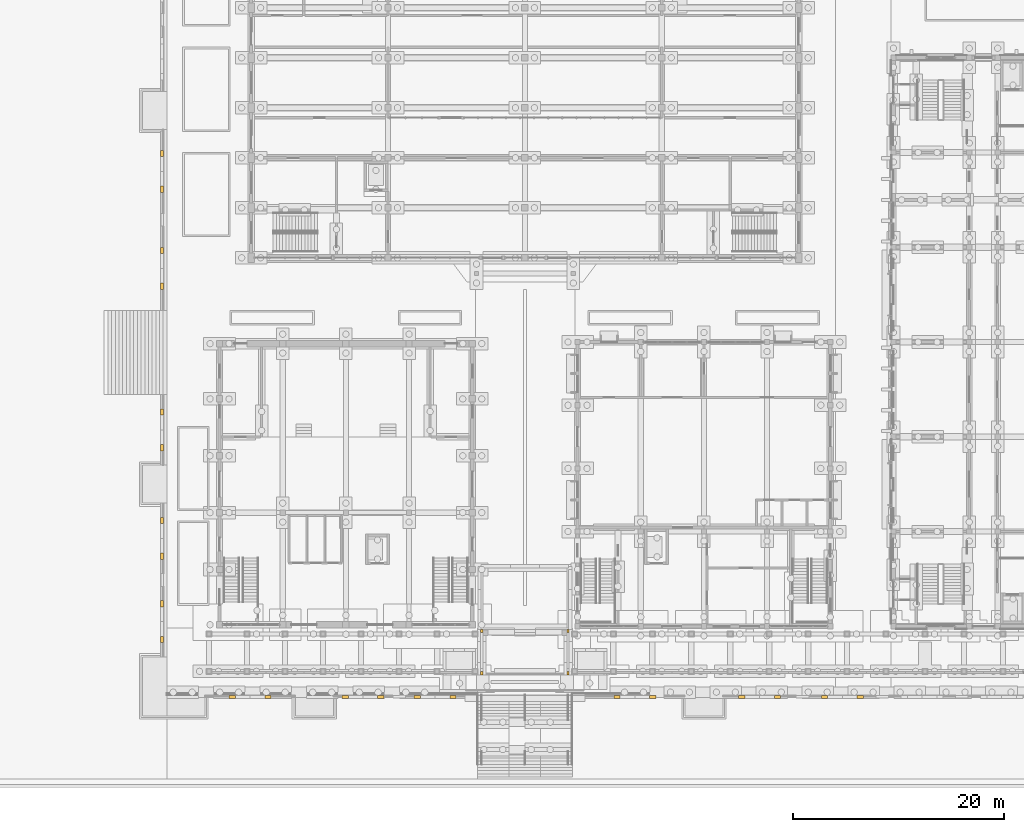
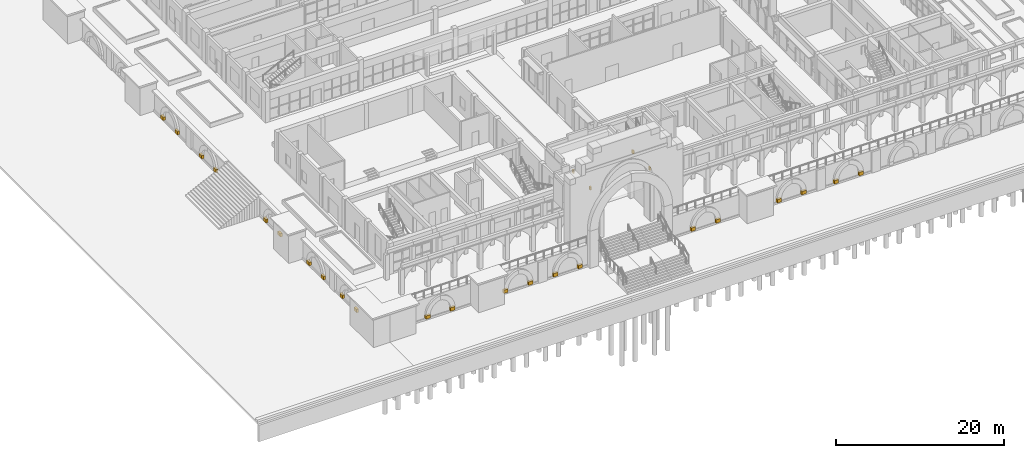
# One storey, part 148 of 161: 26 coverings.
"""IFC4 building model written with IfcOpenShell, lengths in metres."""

from ifc_helpers import new_model, si_unit, direction, frame, origin, place, context, subcontext, project, spatial, polyline, outline, extrude, material, layer, layer_set, type_object, element, save


model = new_model("IFC4")

# Units and contexts
model_context = context("Model", 3, precision=1e-05, world=origin(), true_north=direction((0.0, 1.0)))
body_context = subcontext(model_context, "Body", "Model", "MODEL_VIEW")
ifc_project = project(units=[si_unit("LENGTHUNIT", "METRE"), si_unit("AREAUNIT", "SQUARE_METRE"), si_unit("VOLUMEUNIT", "CUBIC_METRE"), si_unit("PLANEANGLEUNIT", "RADIAN"), si_unit("MASSUNIT", "GRAM", prefix="KILO")], contexts=[model_context])

# Site, building, storey
site_placement = place(None, origin())
site = spatial("IfcSite", under=ifc_project, at=site_placement, CompositionType="ELEMENT")
building_placement = place(site_placement, origin())
building = spatial("IfcBuilding", under=site, at=building_placement, Name="Elbe Cascade School", CompositionType="ELEMENT")
storey_placement = place(building_placement, origin())
storey = spatial("IfcBuildingStorey", under=building, at=storey_placement, Name="L00", CompositionType="ELEMENT", Elevation=0.0)

# Coverings
ifc_material_1 = material(Name="Sandstone - red", Category="masonry")
ifc_layer_1 = layer(ifc_material_1, 0.300048828125)
ifc_layer_set_1 = layer_set([ifc_layer_1], Name="Sandstone - red")
covering_type_1 = type_object("IfcCoveringType", Name="Gate chamber parapet 300", PredefinedType="CLADDING", material=ifc_layer_set_1)
covering_1_placement = place(storey_placement, frame((0.0, 0.0, 6.199951171875)))
element("IfcCovering", 1, at=covering_1_placement, inside=storey, type_object=covering_type_1, Name="Gate chamber parapet 300 CV16", PredefinedType="CLADDING", context=body_context, shape_type="SweptSolid", body=[
    extrude(outline(polyline([(29.800048828125, 1.39990234375), (30.0, 1.39990234375), (30.0, 1.699951171875), (29.800048828125, 1.699951171875), (29.800048828125, 1.39990234375)])), origin(), (0.0, 0.0, 1.0), 0.449951171875),
])
covering_2_placement = place(storey_placement, frame((0.0, 0.0, 6.199951171875)))
element("IfcCovering", 2, at=covering_2_placement, inside=storey, type_object=covering_type_1, Name="Gate chamber parapet 300 CV16", PredefinedType="CLADDING", context=body_context, shape_type="SweptSolid", body=[
    extrude(outline(polyline([(29.800048828125, 5.39990234375), (30.0, 5.39990234375), (30.0, 5.699951171875), (29.800048828125, 5.699951171875), (29.800048828125, 5.39990234375)])), origin(), (0.0, 0.0, 1.0), 0.449951171875),
])
covering_3_placement = place(storey_placement, frame((0.0, 0.0, 6.199951171875)))
element("IfcCovering", 3, at=covering_3_placement, inside=storey, type_object=covering_type_1, Name="Gate chamber parapet 300 CV16", PredefinedType="CLADDING", context=body_context, shape_type="SweptSolid", body=[
    extrude(outline(polyline([(38.0, 1.39990234375), (38.199951171875, 1.39990234375), (38.199951171875, 1.699951171875), (38.0, 1.699951171875), (38.0, 1.39990234375)])), origin(), (0.0, 0.0, 1.0), 0.449951171875),
])
covering_4_placement = place(storey_placement, frame((0.0, 0.0, 6.199951171875)))
element("IfcCovering", 4, at=covering_4_placement, inside=storey, type_object=covering_type_1, Name="Gate chamber parapet 300 CV16", PredefinedType="CLADDING", context=body_context, shape_type="SweptSolid", body=[
    extrude(outline(polyline([(38.0, 5.39990234375), (38.199951171875, 5.39990234375), (38.199951171875, 5.699951171875), (38.0, 5.699951171875), (38.0, 5.39990234375)])), origin(), (0.0, 0.0, 1.0), 0.449951171875),
])
ifc_material_2 = material(Name="Sandstone - red", Category="masonry")
ifc_layer_2 = layer(ifc_material_2, 0.300048828125)
ifc_layer_set_2 = layer_set([ifc_layer_2], Name="Sandstone - red")
covering_type_2 = type_object("IfcCoveringType", Name="Plinth niche frame leg 600x300", PredefinedType="CLADDING", material=ifc_layer_set_2)
covering_5_placement = place(storey_placement, frame((0.0, 0.0, -2.85009765625)))
element("IfcCovering", 5, at=covering_5_placement, inside=storey, type_object=covering_type_2, Name="Plinth niche frame leg west 0.1.1a", PredefinedType="CLADDING", context=body_context, shape_type="SweptSolid", body=[
    extrude(outline(polyline([(-0.60009765625, 7.85009765625), (-0.300048828125, 7.85009765625), (-0.300048828125, 8.449951171875), (-0.60009765625, 8.449951171875), (-0.60009765625, 7.85009765625)])), origin(), (0.0, 0.0, 1.0), 0.5),
])
covering_6_placement = place(storey_placement, frame((0.0, 0.0, -2.85009765625)))
element("IfcCovering", 6, at=covering_6_placement, inside=storey, type_object=covering_type_2, Name="Plinth niche frame leg west 0.1.1b", PredefinedType="CLADDING", context=body_context, shape_type="SweptSolid", body=[
    extrude(outline(polyline([(-0.60009765625, 4.449951171875), (-0.300048828125, 4.449951171875), (-0.300048828125, 5.050048828125), (-0.60009765625, 5.050048828125), (-0.60009765625, 4.449951171875)])), origin(), (0.0, 0.0, 1.0), 0.5),
])
covering_7_placement = place(storey_placement, frame((0.0, 0.0, -2.85009765625)))
element("IfcCovering", 7, at=covering_7_placement, inside=storey, type_object=covering_type_2, Name="Plinth niche frame leg west 0.1.2a", PredefinedType="CLADDING", context=body_context, shape_type="SweptSolid", body=[
    extrude(outline(polyline([(-0.60009765625, 15.75), (-0.300048828125, 15.75), (-0.300048828125, 16.35009765625), (-0.60009765625, 16.35009765625), (-0.60009765625, 15.75)])), origin(), (0.0, 0.0, 1.0), 0.5),
])
covering_8_placement = place(storey_placement, frame((0.0, 0.0, -2.85009765625)))
element("IfcCovering", 8, at=covering_8_placement, inside=storey, type_object=covering_type_2, Name="Plinth niche frame leg west 0.1.2b", PredefinedType="CLADDING", context=body_context, shape_type="SweptSolid", body=[
    extrude(outline(polyline([(-0.60009765625, 12.35009765625), (-0.300048828125, 12.35009765625), (-0.300048828125, 12.949951171875), (-0.60009765625, 12.949951171875), (-0.60009765625, 12.35009765625)])), origin(), (0.0, 0.0, 1.0), 0.5),
])
covering_9_placement = place(storey_placement, frame((0.0, 0.0, -2.85009765625)))
element("IfcCovering", 9, at=covering_9_placement, inside=storey, type_object=covering_type_2, Name="Plinth niche frame leg west 0.2.1a", PredefinedType="CLADDING", context=body_context, shape_type="SweptSolid", body=[
    extrude(outline(polyline([(-0.60009765625, 26.050048828125), (-0.300048828125, 26.050048828125), (-0.300048828125, 26.64990234375), (-0.60009765625, 26.64990234375), (-0.60009765625, 26.050048828125)])), origin(), (0.0, 0.0, 1.0), 0.5),
])
covering_10_placement = place(storey_placement, frame((0.0, 0.0, -2.85009765625)))
element("IfcCovering", 10, at=covering_10_placement, inside=storey, type_object=covering_type_2, Name="Plinth niche frame leg west 0.2.1b", PredefinedType="CLADDING", context=body_context, shape_type="SweptSolid", body=[
    extrude(outline(polyline([(-0.60009765625, 22.64990234375), (-0.300048828125, 22.64990234375), (-0.300048828125, 23.25), (-0.60009765625, 23.25), (-0.60009765625, 22.64990234375)])), origin(), (0.0, 0.0, 1.0), 0.5),
])
covering_11_placement = place(storey_placement, frame((0.0, 0.0, -2.85009765625)))
element("IfcCovering", 11, at=covering_11_placement, inside=storey, type_object=covering_type_2, Name="Plinth niche frame leg west 0.3.1a", PredefinedType="CLADDING", context=body_context, shape_type="SweptSolid", body=[
    extrude(outline(polyline([(-0.60009765625, 41.39990234375), (-0.300048828125, 41.39990234375), (-0.300048828125, 42.0), (-0.60009765625, 42.0), (-0.60009765625, 41.39990234375)])), origin(), (0.0, 0.0, 1.0), 0.5),
])
covering_12_placement = place(storey_placement, frame((0.0, 0.0, -2.85009765625)))
element("IfcCovering", 12, at=covering_12_placement, inside=storey, type_object=covering_type_2, Name="Plinth niche frame leg west 0.3.1b", PredefinedType="CLADDING", context=body_context, shape_type="SweptSolid", body=[
    extrude(outline(polyline([(-0.60009765625, 38.0), (-0.300048828125, 38.0), (-0.300048828125, 38.60009765625), (-0.60009765625, 38.60009765625), (-0.60009765625, 38.0)])), origin(), (0.0, 0.0, 1.0), 0.5),
])
covering_13_placement = place(storey_placement, frame((0.0, 0.0, -2.85009765625)))
element("IfcCovering", 13, at=covering_13_placement, inside=storey, type_object=covering_type_2, Name="Plinth niche frame leg west 0.3.2a", PredefinedType="CLADDING", context=body_context, shape_type="SweptSolid", body=[
    extrude(outline(polyline([(-0.60009765625, 50.60009765625), (-0.300048828125, 50.60009765625), (-0.300048828125, 51.199951171875), (-0.60009765625, 51.199951171875), (-0.60009765625, 50.60009765625)])), origin(), (0.0, 0.0, 1.0), 0.5),
])
covering_14_placement = place(storey_placement, frame((0.0, 0.0, -2.85009765625)))
element("IfcCovering", 14, at=covering_14_placement, inside=storey, type_object=covering_type_2, Name="Plinth niche frame leg west 0.3.2b", PredefinedType="CLADDING", context=body_context, shape_type="SweptSolid", body=[
    extrude(outline(polyline([(-0.60009765625, 47.199951171875), (-0.300048828125, 47.199951171875), (-0.300048828125, 47.800048828125), (-0.60009765625, 47.800048828125), (-0.60009765625, 47.199951171875)])), origin(), (0.0, 0.0, 1.0), 0.5),
])
covering_15_placement = place(storey_placement, frame((0.0, 0.0, -2.85009765625)))
element("IfcCovering", 15, at=covering_15_placement, inside=storey, type_object=covering_type_2, Name="Plinth niche frame leg south 0.1.1a", PredefinedType="CLADDING", context=body_context, shape_type="SweptSolid", body=[
    extrude(outline(polyline([(5.89990234375, -0.860107421875), (6.5, -0.860107421875), (6.5, -0.56005859375), (5.89990234375, -0.56005859375), (5.89990234375, -0.860107421875)])), origin(), (0.0, 0.0, 1.0), 0.5),
])
covering_16_placement = place(storey_placement, frame((0.0, 0.0, -2.85009765625)))
element("IfcCovering", 16, at=covering_16_placement, inside=storey, type_object=covering_type_2, Name="Plinth niche frame leg south 0.1.1b", PredefinedType="CLADDING", context=body_context, shape_type="SweptSolid", body=[
    extrude(outline(polyline([(9.300048828125, -0.860107421875), (9.89990234375, -0.860107421875), (9.89990234375, -0.56005859375), (9.300048828125, -0.56005859375), (9.300048828125, -0.860107421875)])), origin(), (0.0, 0.0, 1.0), 0.5),
])
covering_17_placement = place(storey_placement, frame((0.0, 0.0, -2.85009765625)))
element("IfcCovering", 17, at=covering_17_placement, inside=storey, type_object=covering_type_2, Name="Plinth niche frame leg south 0.2.1a", PredefinedType="CLADDING", context=body_context, shape_type="SweptSolid", body=[
    extrude(outline(polyline([(16.625, -0.860107421875), (17.22509765625, -0.860107421875), (17.22509765625, -0.56005859375), (16.625, -0.56005859375), (16.625, -0.860107421875)])), origin(), (0.0, 0.0, 1.0), 0.5),
])
covering_18_placement = place(storey_placement, frame((0.0, 0.0, -2.85009765625)))
element("IfcCovering", 18, at=covering_18_placement, inside=storey, type_object=covering_type_2, Name="Plinth niche frame leg south 0.2.1b", PredefinedType="CLADDING", context=body_context, shape_type="SweptSolid", body=[
    extrude(outline(polyline([(20.02490234375, -0.860107421875), (20.625, -0.860107421875), (20.625, -0.56005859375), (20.02490234375, -0.56005859375), (20.02490234375, -0.860107421875)])), origin(), (0.0, 0.0, 1.0), 0.5),
])
covering_19_placement = place(storey_placement, frame((0.0, 0.0, -2.85009765625)))
element("IfcCovering", 19, at=covering_19_placement, inside=storey, type_object=covering_type_2, Name="Plinth niche frame leg south 0.2.2a", PredefinedType="CLADDING", context=body_context, shape_type="SweptSolid", body=[
    extrude(outline(polyline([(23.47509765625, -0.860107421875), (24.074951171875, -0.860107421875), (24.074951171875, -0.56005859375), (23.47509765625, -0.56005859375), (23.47509765625, -0.860107421875)])), origin(), (0.0, 0.0, 1.0), 0.5),
])
covering_20_placement = place(storey_placement, frame((0.0, 0.0, -2.85009765625)))
element("IfcCovering", 20, at=covering_20_placement, inside=storey, type_object=covering_type_2, Name="Plinth niche frame leg south 0.2.2b", PredefinedType="CLADDING", context=body_context, shape_type="SweptSolid", body=[
    extrude(outline(polyline([(26.875, -0.860107421875), (27.47509765625, -0.860107421875), (27.47509765625, -0.56005859375), (26.875, -0.56005859375), (26.875, -0.860107421875)])), origin(), (0.0, 0.0, 1.0), 0.5),
])
covering_21_placement = place(storey_placement, frame((0.0, 0.0, -2.85009765625)))
element("IfcCovering", 21, at=covering_21_placement, inside=storey, type_object=covering_type_2, Name="Plinth niche frame leg south 0.3.1a", PredefinedType="CLADDING", context=body_context, shape_type="SweptSolid", body=[
    extrude(outline(polyline([(42.449951171875, -0.860107421875), (43.050048828125, -0.860107421875), (43.050048828125, -0.56005859375), (42.449951171875, -0.56005859375), (42.449951171875, -0.860107421875)])), origin(), (0.0, 0.0, 1.0), 0.5),
])
covering_22_placement = place(storey_placement, frame((0.0, 0.0, -2.85009765625)))
element("IfcCovering", 22, at=covering_22_placement, inside=storey, type_object=covering_type_2, Name="Plinth niche frame leg south 0.3.1b", PredefinedType="CLADDING", context=body_context, shape_type="SweptSolid", body=[
    extrude(outline(polyline([(45.85009765625, -0.860107421875), (46.449951171875, -0.860107421875), (46.449951171875, -0.56005859375), (45.85009765625, -0.56005859375), (45.85009765625, -0.860107421875)])), origin(), (0.0, 0.0, 1.0), 0.5),
])
covering_23_placement = place(storey_placement, frame((0.0, 0.0, -2.85009765625)))
element("IfcCovering", 23, at=covering_23_placement, inside=storey, type_object=covering_type_2, Name="Plinth niche frame leg south 0.4.1a", PredefinedType="CLADDING", context=body_context, shape_type="SweptSolid", body=[
    extrude(outline(polyline([(54.283447265625, -0.860107421875), (54.88330078125, -0.860107421875), (54.88330078125, -0.56005859375), (54.283447265625, -0.56005859375), (54.283447265625, -0.860107421875)])), origin(), (0.0, 0.0, 1.0), 0.5),
])
covering_24_placement = place(storey_placement, frame((0.0, 0.0, -2.85009765625)))
element("IfcCovering", 24, at=covering_24_placement, inside=storey, type_object=covering_type_2, Name="Plinth niche frame leg south 0.4.1b", PredefinedType="CLADDING", context=body_context, shape_type="SweptSolid", body=[
    extrude(outline(polyline([(57.683349609375, -0.860107421875), (58.283447265625, -0.860107421875), (58.283447265625, -0.56005859375), (57.683349609375, -0.56005859375), (57.683349609375, -0.860107421875)])), origin(), (0.0, 0.0, 1.0), 0.5),
])
covering_25_placement = place(storey_placement, frame((0.0, 0.0, -2.85009765625)))
element("IfcCovering", 25, at=covering_25_placement, inside=storey, type_object=covering_type_2, Name="Plinth niche frame leg south 0.4.2a", PredefinedType="CLADDING", context=body_context, shape_type="SweptSolid", body=[
    extrude(outline(polyline([(62.14990234375, -0.860107421875), (62.75, -0.860107421875), (62.75, -0.56005859375), (62.14990234375, -0.56005859375), (62.14990234375, -0.860107421875)])), origin(), (0.0, 0.0, 1.0), 0.5),
])
covering_26_placement = place(storey_placement, frame((0.0, 0.0, -2.85009765625)))
element("IfcCovering", 26, at=covering_26_placement, inside=storey, type_object=covering_type_2, Name="Plinth niche frame leg south 0.4.2b", PredefinedType="CLADDING", context=body_context, shape_type="SweptSolid", body=[
    extrude(outline(polyline([(65.550048828125, -0.860107421875), (66.14990234375, -0.860107421875), (66.14990234375, -0.56005859375), (65.550048828125, -0.56005859375), (65.550048828125, -0.860107421875)])), origin(), (0.0, 0.0, 1.0), 0.5),
])

save(model, "model.ifc")
